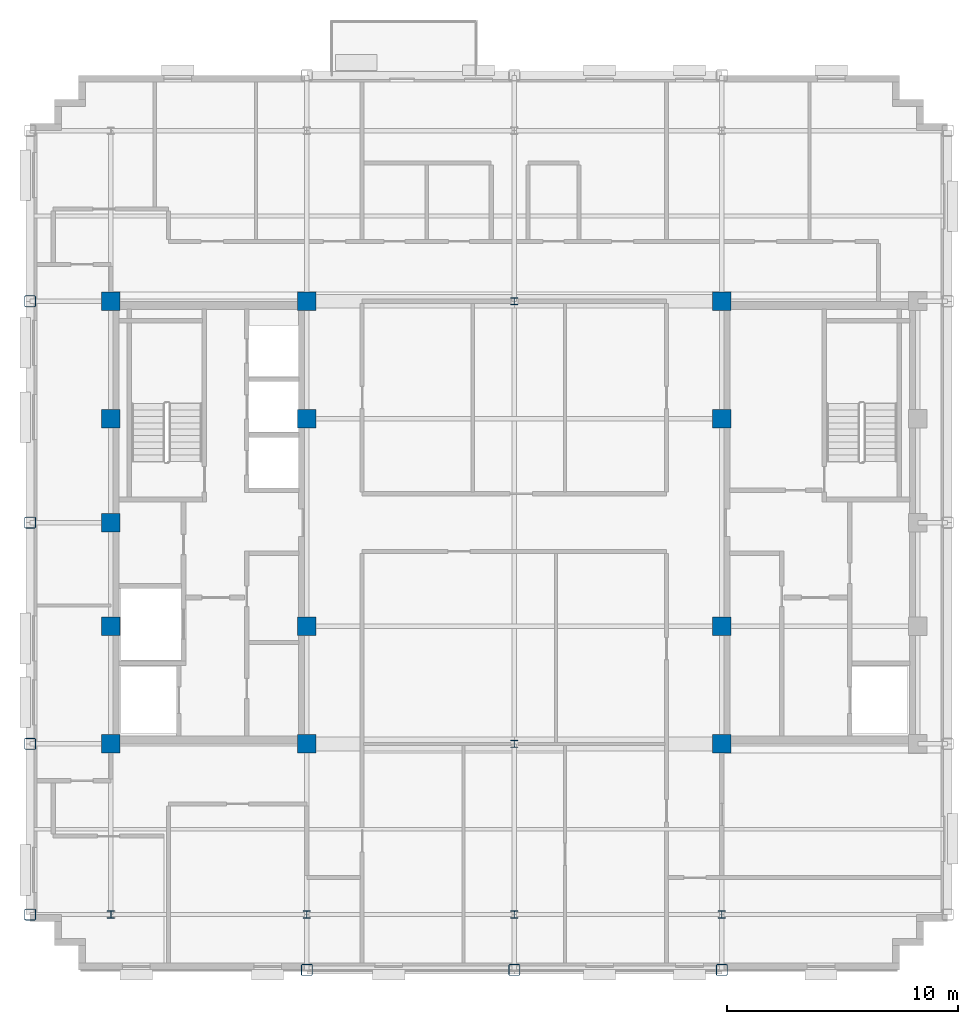
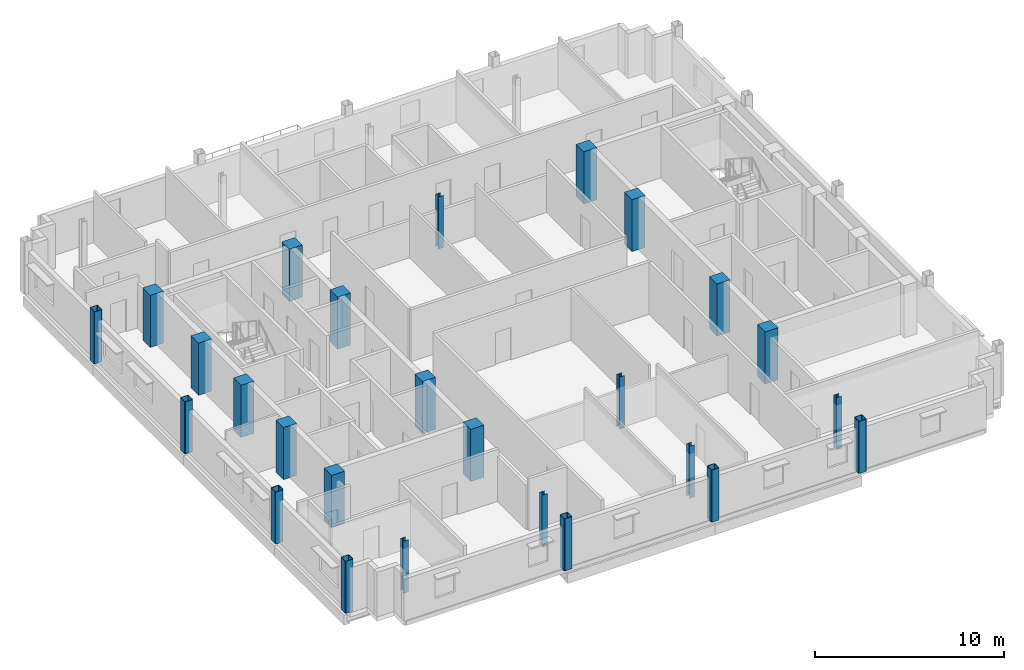
# One storey, part 1 of 14: 26 columns.
"""IFC4 building model written with IfcOpenShell, lengths in metres."""

from ifc_helpers import new_model, si_unit, direction, frame, origin, origin_2d, place, context, subcontext, project, spatial, rectangle, hollow_rectangle, i_section, extrude, material, material_profile, profile_set, type_object, element, save


model = new_model("IFC4")

# Units and contexts
model_context = context("Model", 3, precision=1e-05, world=origin(), true_north=direction((0.0, 1.0)))
body_context = subcontext(model_context, "Body", "Model", "MODEL_VIEW")
ifc_project = project(units=[si_unit("LENGTHUNIT", "METRE"), si_unit("AREAUNIT", "SQUARE_METRE"), si_unit("VOLUMEUNIT", "CUBIC_METRE"), si_unit("PLANEANGLEUNIT", "RADIAN"), si_unit("MASSUNIT", "GRAM", prefix="KILO")], contexts=[model_context])

# Site, building, storey
site_placement = place(None, origin())
site = spatial("IfcSite", under=ifc_project, at=site_placement, CompositionType="ELEMENT")
building_placement = place(site_placement, origin())
building = spatial("IfcBuilding", under=site, at=building_placement, Name="Nuvemarco Arch Tower", CompositionType="ELEMENT")
storey_placement = place(building_placement, frame((0.0, 0.0, 272.550048828125)))
storey = spatial("IfcBuildingStorey", under=building, at=storey_placement, Name="L72", CompositionType="ELEMENT", Elevation=272.550048828125)

# Columns
ifc_material_1 = material(Name="Concrete C50/60", Category="concrete")
ifc_material_profile_1 = material_profile(ifc_material_1, rectangle(XDim=0.800048828125, YDim=0.800048828125, at=origin_2d()), Name="RC-COL-800x800")
ifc_profile_set_1 = profile_set([ifc_material_profile_1], Name="Concrete C50/60")
column_type_1 = type_object("IfcColumnType", Name="COL-CORE-800", PredefinedType="COLUMN", material=ifc_profile_set_1)
for number, where, z_axis, x_axis, name in (
    (1, (-17.5, -9.60009765625, 0.0), (0.0, 0.0, 1.0), (1.0, 0.0, 0.0), "L72 column CC_-17.5_-9.6"),
    (2, (-17.5, -4.5, 0.0), (0.0, 0.0, 1.0), (1.0, 0.0, 0.0), "L72 column CC_-17.5_-4.5"),
    (3, (-17.5, 4.5, 0.0), (0.0, 0.0, 1.0), (1.0, 0.0, 0.0), "L72 column CC_-17.5_+4.5"),
    (4, (-17.5, 9.60009765625, 0.0), (0.0, 0.0, 1.0), (1.0, 0.0, 0.0), "L72 column CC_-17.5_+9.6"),
    (5, (-9.0, -9.60009765625, 0.0), (0.0, 0.0, 1.0), (1.0, 0.0, 0.0), "L72 column CC_-9.0_-9.6"),
    (6, (-9.0, -4.5, 0.0), (0.0, 0.0, 1.0), (1.0, 0.0, 0.0), "L72 column CC_-9.0_-4.5"),
    (7, (-9.0, 4.5, 0.0), (0.0, 0.0, 1.0), (1.0, 0.0, 0.0), "L72 column CC_-9.0_+4.5"),
    (8, (-9.0, 9.60009765625, 0.0), (0.0, 0.0, 1.0), (1.0, 0.0, 0.0), "L72 column CC_-9.0_+9.6"),
    (9, (9.0, -9.60009765625, 0.0), (0.0, 0.0, 1.0), (1.0, 0.0, 0.0), "L72 column CC_+9.0_-9.6"),
    (10, (9.0, -4.5, 0.0), (0.0, 0.0, 1.0), (1.0, 0.0, 0.0), "L72 column CC_+9.0_-4.5"),
    (11, (9.0, 4.5, 0.0), (0.0, 0.0, 1.0), (1.0, 0.0, 0.0), "L72 column CC_+9.0_+4.5"),
    (12, (9.0, 9.60009765625, 0.0), (0.0, 0.0, 1.0), (1.0, 0.0, 0.0), "L72 column CC_+9.0_+9.6"),
    (13, (-17.5, 0.0, 0.0), (0.0, 0.0, 1.0), (1.0, 0.0, 0.0), "L72 column CC_-17.5_+0.0"),
):
    element("IfcColumn", number, at=place(storey_placement, frame(where, z_axis=z_axis, x_axis=x_axis)), inside=storey, type_object=column_type_1, Name=name, PredefinedType="COLUMN", context=body_context, shape_type="SweptSolid", body=[
        extrude(rectangle(XDim=0.800048828125, YDim=0.800048828125, at=origin_2d()), origin(), (0.0, 0.0, 1.0), 3.369873046875),
    ])
ifc_material_2 = material(Name="Steel S355", Category="steel")
ifc_material_profile_2 = material_profile(ifc_material_2, hollow_rectangle(XDim=0.5, YDim=0.5, WallThickness=0.031982421875, InnerFilletRadius=0.031982421875, OuterFilletRadius=0.06396484375, at=origin_2d()), Name="SHS500x500x32")
ifc_profile_set_2 = profile_set([ifc_material_profile_2], Name="Steel S355")
column_type_2 = type_object("IfcColumnType", Name="COL-EXO-500", PredefinedType="COLUMN", material=ifc_profile_set_2)
for number, where, z_axis, x_axis, name in (
    (14, (-21.0, -17.0, 0.0), (0.0, 0.0, 1.0), (1.0, 0.0, 0.0), "L72 column CX_-21.0_-17.0"),
    (15, (-21.0, -9.60009765625, 0.0), (0.0, 0.0, 1.0), (1.0, 0.0, 0.0), "L72 column CX_-21.0_-9.6"),
    (16, (-21.0, 0.0, 0.0), (0.0, 0.0, 1.0), (1.0, 0.0, 0.0), "L72 column CX_-21.0_+0.0"),
    (17, (-21.0, 9.60009765625, 0.0), (0.0, 0.0, 1.0), (1.0, 0.0, 0.0), "L72 column CX_-21.0_+9.6"),
    (18, (-9.0, -19.39990234375, 0.0), (0.0, 0.0, 1.0), (1.0, 0.0, 0.0), "L72 column CY_-9.0_-19.4"),
    (19, (0.0, -19.39990234375, 0.0), (0.0, 0.0, 1.0), (1.0, 0.0, 0.0), "L72 column CY_+0.0_-19.4"),
    (20, (9.0, -19.39990234375, 0.0), (0.0, 0.0, 1.0), (1.0, 0.0, 0.0), "L72 column CY_+9.0_-19.4"),
):
    element("IfcColumn", number, at=place(storey_placement, frame(where, z_axis=z_axis, x_axis=x_axis)), inside=storey, type_object=column_type_2, Name=name, PredefinedType="COLUMN", context=body_context, shape_type="SweptSolid", body=[
        extrude(hollow_rectangle(XDim=0.5, YDim=0.5, WallThickness=0.031982421875, InnerFilletRadius=0.031982421875, OuterFilletRadius=0.06396484375, at=origin_2d()), origin(), (0.0, 0.0, 1.0), 3.369873046875),
    ])
ifc_material_profile_3 = material_profile(ifc_material_2, i_section(OverallWidth=0.31005859375, OverallDepth=0.31005859375, WebThickness=0.015380859375, FlangeThickness=0.015380859375, FilletRadius=0.014892578125, at=origin_2d()), Name="HP310x110")
ifc_profile_set_3 = profile_set([ifc_material_profile_3], Name="Steel S355")
column_type_3 = type_object("IfcColumnType", Name="COL-STL-HP310", PredefinedType="COLUMN", material=ifc_profile_set_3)
for number, where, z_axis, x_axis, name in (
    (21, (0.0, -17.0, 0.0), (0.0, 0.0, 1.0), (1.0, 0.0, 0.0), "L72 column CI_+0.0_-17.0"),
    (22, (0.0, -9.60009765625, 0.0), (0.0, 0.0, 1.0), (1.0, 0.0, 0.0), "L72 column CI_+0.0_-9.6"),
    (23, (0.0, 9.60009765625, 0.0), (0.0, 0.0, 1.0), (1.0, 0.0, 0.0), "L72 column CI_+0.0_+9.6"),
    (24, (-17.5, -17.0, 0.0), (0.0, 0.0, 1.0), (1.0, 0.0, 0.0), "L72 column CI_-17.5_-17.0"),
    (25, (-9.0, -17.0, 0.0), (0.0, 0.0, 1.0), (1.0, 0.0, 0.0), "L72 column CI_-9.0_-17.0"),
    (26, (9.0, -17.0, 0.0), (0.0, 0.0, 1.0), (1.0, 0.0, 0.0), "L72 column CI_+9.0_-17.0"),
):
    element("IfcColumn", number, at=place(storey_placement, frame(where, z_axis=z_axis, x_axis=x_axis)), inside=storey, type_object=column_type_3, Name=name, PredefinedType="COLUMN", context=body_context, shape_type="SweptSolid", body=[
        extrude(i_section(OverallWidth=0.31005859375, OverallDepth=0.31005859375, WebThickness=0.015380859375, FlangeThickness=0.015380859375, FilletRadius=0.014892578125, at=origin_2d()), origin(), (0.0, 0.0, 1.0), 3.369873046875),
    ])

save(model, "model.ifc")
